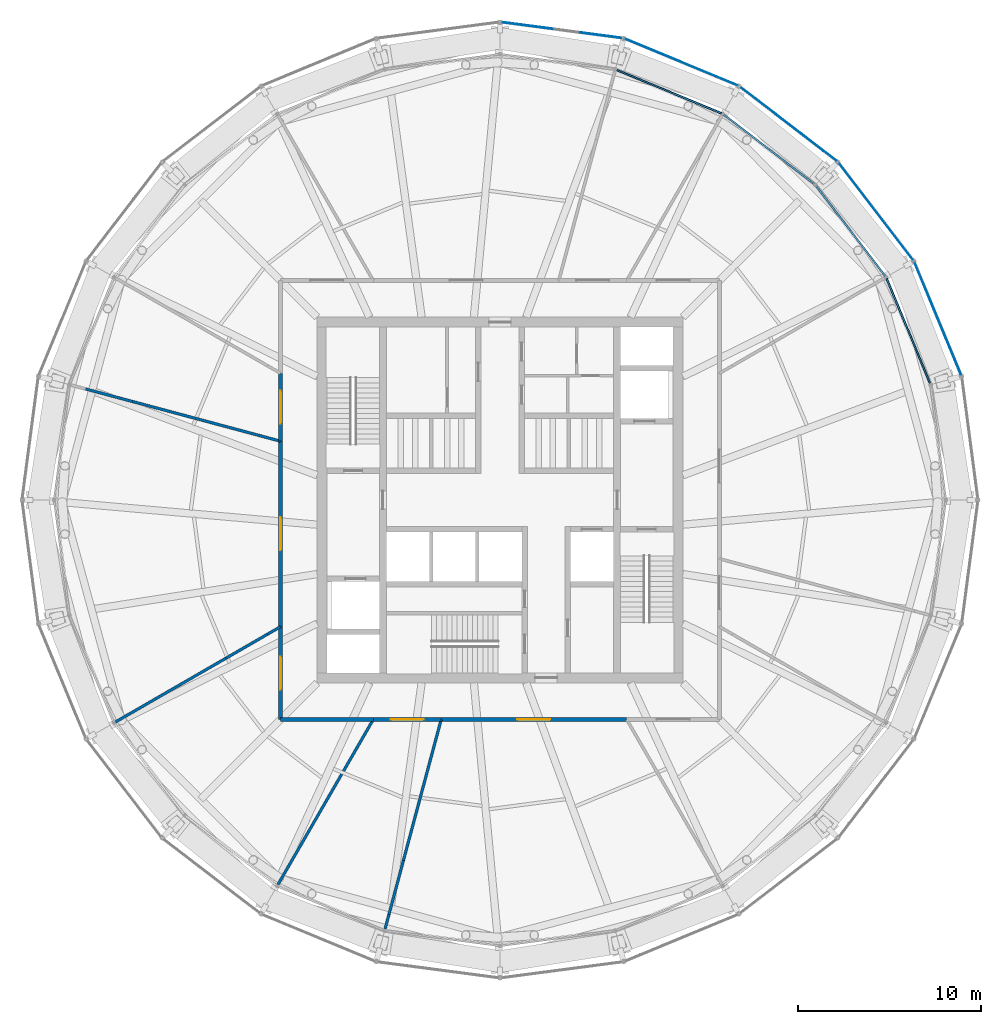
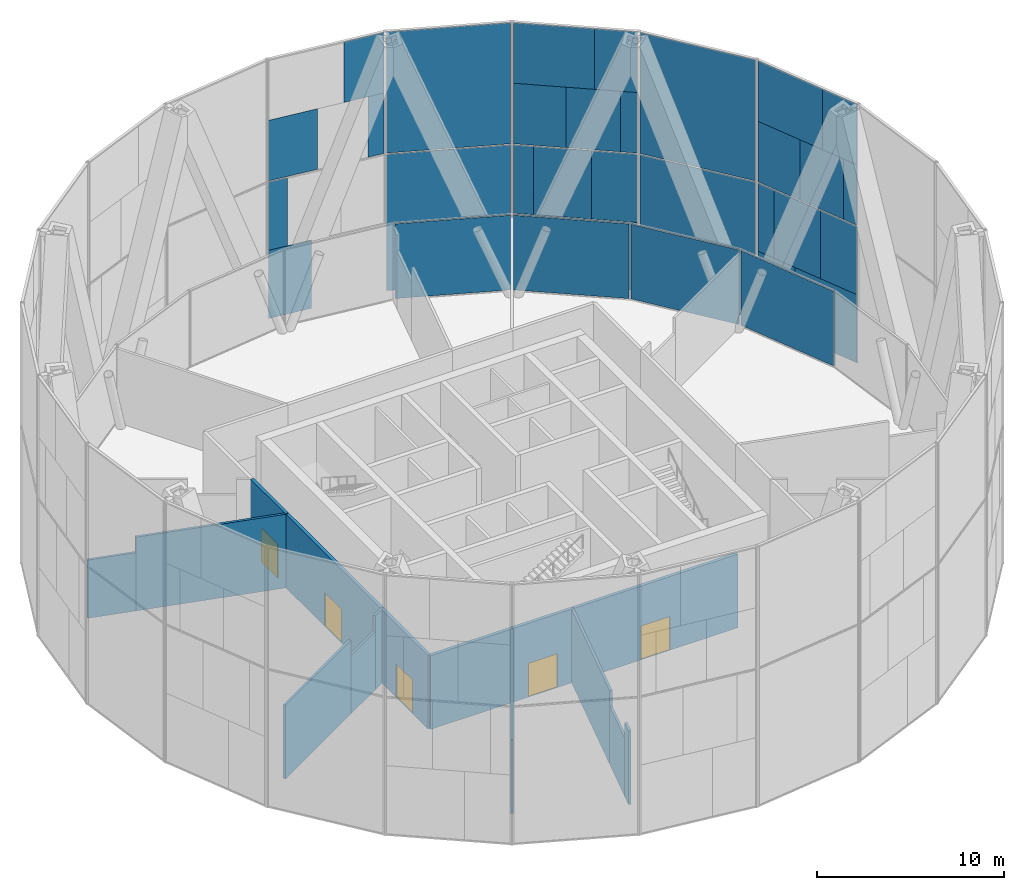
# One storey, part 13 of 17: 33 plates, 15 walls, 5 doors, 5 openings, 9 elements without a shape of their own.
"""IFC4 building model written with IfcOpenShell, lengths in metres."""

from ifc_helpers import new_model, si_unit, direction, frame, frame_2d, origin, origin_2d, place, context, subcontext, project, spatial, rectangle, extrude, material, layer, layer_set, type_object, element, fill, aggregate, save


model = new_model("IFC4")

# Units and contexts
model_context = context("Model", 3, precision=1e-05, world=origin(), true_north=direction((0.0, 1.0)))
body_context = subcontext(model_context, "Body", "Model", "MODEL_VIEW")
ifc_project = project(units=[si_unit("LENGTHUNIT", "METRE"), si_unit("AREAUNIT", "SQUARE_METRE"), si_unit("VOLUMEUNIT", "CUBIC_METRE"), si_unit("PLANEANGLEUNIT", "RADIAN"), si_unit("MASSUNIT", "GRAM", prefix="KILO")], contexts=[model_context])

# Site, building, storey
site_placement = place(None, origin())
site = spatial("IfcSite", under=ifc_project, at=site_placement, CompositionType="ELEMENT")
building_placement = place(site_placement, origin())
building = spatial("IfcBuilding", under=site, at=building_placement, Name="Golbaran Civic Tower", CompositionType="ELEMENT")
storey_placement = place(building_placement, frame((0.0, 0.0, 150.0)))
storey = spatial("IfcBuildingStorey", under=building, at=storey_placement, Name="L36", CompositionType="ELEMENT", Elevation=150.0)

# Curtain wall, plates
ifc_material_1 = material(Name="Aluminium and glass", Category="aluminium")
curtain_wall_type_1 = type_object("IfcCurtainWallType", Name="OUTER SKIN TERRACOTTA SCREEN", PredefinedType="NOTDEFINED", material=ifc_material_1)
curtain_wall_1_placement = place(storey_placement, origin())
curtain_wall_1 = element("IfcCurtainWall", 1, at=curtain_wall_1_placement, inside=storey, type_object=curtain_wall_type_1, Name="Outer skin L36 facet 2 CW3", ObjectType="OUTER SKIN", PredefinedType="USERDEFINED")
ifc_material_2 = material(Name="Clear laminated glass", Category="glass")
ifc_layer_1 = layer(ifc_material_2, 0.0400390625, Name="Clear laminated glass")
ifc_layer_set_1 = layer_set([ifc_layer_1], Name="Clear laminated glass")
plate_type_1 = type_object("IfcPlateType", Name="OUTER SKIN CLEAR GLASS PANEL", PredefinedType="CURTAIN_PANEL", material=ifc_layer_set_1)
plate_1_placement = place(storey_placement, frame((24.4130859375, 8.768798828125, -0.6298828125), z_axis=(0.0, 0.0, 1.0), x_axis=(-0.382683432284, 0.923879532545, 0.0)))
plate_1 = element("IfcPlate", 2, at=plate_1_placement, type_object=plate_type_1, Name="CW3 panel 1.1 part 1", PredefinedType="CURTAIN_PANEL", context=body_context, shape_type="SweptSolid", body=[
    extrude(rectangle(XDim=4.179931640625, YDim=0.0400390625, at=origin_2d()), origin(), (0.0, 0.0, 1.0), 4.43994140625),
])
plate_2_placement = place(storey_placement, frame((24.740966796875, 7.97705078125, 3.81005859375), z_axis=(0.0, 0.0, 1.0), x_axis=(-0.382683432284, 0.923879532545, 0.0)))
plate_2 = element("IfcPlate", 3, at=plate_2_placement, type_object=plate_type_1, Name="CW3 panel 1.1 part 3", PredefinedType="CURTAIN_PANEL", context=body_context, shape_type="SweptSolid", body=[
    extrude(rectangle(XDim=2.466064453125, YDim=0.0400390625, at=origin_2d()), origin(), (0.0, 0.0, 1.0), 4.43994140625),
])
plate_3_placement = place(storey_placement, frame((22.870849609375, 12.4921875, 3.81005859375), z_axis=(0.0, 0.0, 1.0), x_axis=(-0.382683432284, 0.923879532545, 0.0)))
plate_3 = element("IfcPlate", 4, at=plate_3_placement, type_object=plate_type_1, Name="CW3 panel 1.1 part 5", PredefinedType="CURTAIN_PANEL", context=body_context, shape_type="SweptSolid", body=[
    extrude(rectangle(XDim=1.084228515625, YDim=0.0400390625, at=origin_2d()), origin(), (0.0, 0.0, 1.0), 4.43994140625),
])
plate_4_placement = place(storey_placement, frame((25.0380859375, 7.259521484375, 8.330078125), z_axis=(0.0, 0.0, 1.0), x_axis=(-0.382683432284, 0.923879532545, 0.0)))
plate_4 = element("IfcPlate", 5, at=plate_4_placement, type_object=plate_type_1, Name="CW3 panel 1.2 part 1", PredefinedType="CURTAIN_PANEL", context=body_context, shape_type="SweptSolid", body=[
    extrude(rectangle(XDim=0.9130859375, YDim=0.0400390625, at=origin_2d()), origin(), (0.0, 0.0, 1.0), 3.93994140625),
])
plate_5_placement = place(storey_placement, frame((23.205078125, 11.68505859375, 8.330078125), z_axis=(0.0, 0.0, 1.0), x_axis=(-0.382683432284, 0.923879532545, 0.0)))
plate_5 = element("IfcPlate", 6, at=plate_5_placement, type_object=plate_type_1, Name="CW3 panel 1.2 part 3", PredefinedType="CURTAIN_PANEL", context=body_context, shape_type="SweptSolid", body=[
    extrude(rectangle(XDim=2.831298828125, YDim=0.0400390625, at=origin_2d()), origin(), (0.0, 0.0, 1.0), 3.93994140625),
])
plate_6_placement = place(storey_placement, frame((23.496337890625, 10.982177734375, 12.27001953125), z_axis=(0.0, 0.0, 1.0), x_axis=(-0.382683432284, 0.923879532545, 0.0)))
plate_6 = element("IfcPlate", 7, at=plate_6_placement, type_object=plate_type_1, Name="CW3 panel 1.2 part 5", PredefinedType="CURTAIN_PANEL", context=body_context, shape_type="SweptSolid", body=[
    extrude(rectangle(XDim=4.353271484375, YDim=0.0400390625, at=origin_2d()), origin(), (0.0, 0.0, 1.0), 3.93994140625),
])

curtain_wall_2_placement = place(storey_placement, origin())
curtain_wall_2 = element("IfcCurtainWall", 8, at=curtain_wall_2_placement, inside=storey, type_object=curtain_wall_type_1, Name="Outer skin L36 facet 4 CW3", ObjectType="OUTER SKIN", PredefinedType="USERDEFINED")
plate_7_placement = place(storey_placement, frame((16.758056640625, 19.800537109375, -0.6298828125), z_axis=(0.0, 0.0, 1.0), x_axis=(-0.793353340312, 0.608761428981, 0.0)))
plate_7 = element("IfcPlate", 9, at=plate_7_placement, type_object=plate_type_1, Name="CW3 panel 1.1 part 1", PredefinedType="CURTAIN_PANEL", context=body_context, shape_type="SweptSolid", body=[
    extrude(rectangle(XDim=4.179931640625, YDim=0.0400390625, at=origin_2d()), origin(), (0.0, 0.0, 1.0), 4.43994140625),
])
plate_8_placement = place(storey_placement, frame((17.437744140625, 19.27880859375, 3.81005859375), z_axis=(0.0, 0.0, 1.0), x_axis=(-0.793353340312, 0.608761428981, 0.0)))
plate_8 = element("IfcPlate", 10, at=plate_8_placement, type_object=plate_type_1, Name="CW3 panel 1.1 part 3", PredefinedType="CURTAIN_PANEL", context=body_context, shape_type="SweptSolid", body=[
    extrude(rectangle(XDim=2.466064453125, YDim=0.0400390625, at=origin_2d()), origin(), (0.0, 0.0, 1.0), 4.43994140625),
])
plate_9_placement = place(storey_placement, frame((13.560546875, 22.25390625, 3.81005859375), z_axis=(0.0, 0.0, 1.0), x_axis=(-0.793353340312, 0.608761428981, 0.0)))
plate_9 = element("IfcPlate", 11, at=plate_9_placement, type_object=plate_type_1, Name="CW3 panel 1.1 part 5", PredefinedType="CURTAIN_PANEL", context=body_context, shape_type="SweptSolid", body=[
    extrude(rectangle(XDim=1.084228515625, YDim=0.0400390625, at=origin_2d()), origin(), (0.0, 0.0, 1.0), 4.43994140625),
])
plate_10_placement = place(storey_placement, frame((18.053955078125, 18.80615234375, 8.330078125), z_axis=(0.0, 0.0, 1.0), x_axis=(-0.793353340312, 0.608761428981, 0.0)))
plate_10 = element("IfcPlate", 12, at=plate_10_placement, type_object=plate_type_1, Name="CW3 panel 1.2 part 1", PredefinedType="CURTAIN_PANEL", context=body_context, shape_type="SweptSolid", body=[
    extrude(rectangle(XDim=0.9130859375, YDim=0.0400390625, at=origin_2d()), origin(), (0.0, 0.0, 1.0), 3.93994140625),
])
plate_11_placement = place(storey_placement, frame((14.253662109375, 21.72216796875, 8.330078125), z_axis=(0.0, 0.0, 1.0), x_axis=(-0.793353340312, 0.608761428981, 0.0)))
plate_11 = element("IfcPlate", 13, at=plate_11_placement, type_object=plate_type_1, Name="CW3 panel 1.2 part 3", PredefinedType="CURTAIN_PANEL", context=body_context, shape_type="SweptSolid", body=[
    extrude(rectangle(XDim=2.831298828125, YDim=0.0400390625, at=origin_2d()), origin(), (0.0, 0.0, 1.0), 3.93994140625),
])
plate_12_placement = place(storey_placement, frame((14.857421875, 21.259033203125, 12.27001953125), z_axis=(0.0, 0.0, 1.0), x_axis=(-0.793353340312, 0.608761428981, 0.0)))
plate_12 = element("IfcPlate", 14, at=plate_12_placement, type_object=plate_type_1, Name="CW3 panel 1.2 part 5", PredefinedType="CURTAIN_PANEL", context=body_context, shape_type="SweptSolid", body=[
    extrude(rectangle(XDim=4.353271484375, YDim=0.0400390625, at=origin_2d()), origin(), (0.0, 0.0, 1.0), 3.93994140625),
])

curtain_wall_3_placement = place(storey_placement, origin())
curtain_wall_3 = element("IfcCurtainWall", 15, at=curtain_wall_3_placement, inside=storey, type_object=curtain_wall_type_1, Name="Outer skin L36 facet 6 CW3", ObjectType="OUTER SKIN", PredefinedType="USERDEFINED")
plate_13_placement = place(storey_placement, frame((0.616943359375, 26.052734375, 3.81005859375), z_axis=(0.0, 0.0, 1.0), x_axis=(-0.991444861369, 0.130526192255, 0.0)))
plate_13 = element("IfcPlate", 16, at=plate_13_placement, type_object=plate_type_1, Name="CW3 panel 1.1 part 5", PredefinedType="CURTAIN_PANEL", context=body_context, shape_type="SweptSolid", body=[
    extrude(rectangle(XDim=1.084228515625, YDim=0.0400390625, at=origin_2d()), origin(), (0.0, 0.0, 1.0), 4.43994140625),
])
plate_14_placement = place(storey_placement, frame((6.232177734375, 25.3134765625, 8.330078125), z_axis=(0.0, 0.0, 1.0), x_axis=(-0.991444861369, 0.130526192255, 0.0)))
plate_14 = element("IfcPlate", 17, at=plate_14_placement, type_object=plate_type_1, Name="CW3 panel 1.2 part 1", PredefinedType="CURTAIN_PANEL", context=body_context, shape_type="SweptSolid", body=[
    extrude(rectangle(XDim=0.9130859375, YDim=0.0400390625, at=origin_2d()), origin(), (0.0, 0.0, 1.0), 3.93994140625),
])
plate_15_placement = place(storey_placement, frame((1.48291015625, 25.938720703125, 8.330078125), z_axis=(0.0, 0.0, 1.0), x_axis=(-0.991444861369, 0.130526192255, 0.0)))
plate_15 = element("IfcPlate", 18, at=plate_15_placement, type_object=plate_type_1, Name="CW3 panel 1.2 part 3", PredefinedType="CURTAIN_PANEL", context=body_context, shape_type="SweptSolid", body=[
    extrude(rectangle(XDim=2.831298828125, YDim=0.0400390625, at=origin_2d()), origin(), (0.0, 0.0, 1.0), 3.93994140625),
])

# Plate
ifc_material_3 = material(Name="Terracotta baguette screen", Category="masonry")
ifc_layer_2 = layer(ifc_material_3, 0.0400390625, Name="Terracotta baguette screen")
ifc_layer_set_2 = layer_set([ifc_layer_2], Name="Terracotta baguette screen")
plate_type_2 = type_object("IfcPlateType", Name="OUTER SKIN TERRACOTTA INFILL PANEL", PredefinedType="CURTAIN_PANEL", material=ifc_layer_set_2)
plate_16_placement = place(storey_placement, frame((23.13818359375, 11.846435546875, -0.6298828125), z_axis=(0.0, 0.0, 1.0), x_axis=(-0.382683432284, 0.923879532545, 0.0)))
plate_16 = element("IfcPlate", 19, at=plate_16_placement, type_object=plate_type_2, Name="CW3 infill panel 1.1 part 2", PredefinedType="CURTAIN_PANEL", context=body_context, shape_type="SweptSolid", body=[
    extrude(rectangle(XDim=2.482421875, YDim=0.0400390625, at=origin_2d()), origin(), (0.0, 0.0, 1.0), 4.43994140625),
])

plate_17_placement = place(storey_placement, frame((23.673828125, 10.5537109375, 3.81005859375), z_axis=(0.0, 0.0, 1.0), x_axis=(-0.382683432284, 0.923879532545, 0.0)))
plate_17 = element("IfcPlate", 20, at=plate_17_placement, type_object=plate_type_2, Name="CW3 infill panel 1.1 part 4", PredefinedType="CURTAIN_PANEL", context=body_context, shape_type="SweptSolid", body=[
    extrude(rectangle(XDim=3.112060546875, YDim=0.0400390625, at=origin_2d()), origin(), (0.0, 0.0, 1.0), 4.43994140625),
])

plate_18_placement = place(storey_placement, frame((24.30517578125, 9.029296875, 8.330078125), z_axis=(0.0, 0.0, 1.0), x_axis=(-0.382683432284, 0.923879532545, 0.0)))
plate_18 = element("IfcPlate", 21, at=plate_18_placement, type_object=plate_type_2, Name="CW3 infill panel 1.2 part 2", PredefinedType="CURTAIN_PANEL", context=body_context, shape_type="SweptSolid", body=[
    extrude(rectangle(XDim=2.91796875, YDim=0.0400390625, at=origin_2d()), origin(), (0.0, 0.0, 1.0), 3.93994140625),
])

plate_19_placement = place(storey_placement, frame((24.77099609375, 7.904541015625, 12.27001953125), z_axis=(0.0, 0.0, 1.0), x_axis=(-0.382683432284, 0.923879532545, 0.0)))
plate_19 = element("IfcPlate", 22, at=plate_19_placement, type_object=plate_type_2, Name="CW3 infill panel 1.2 part 4", PredefinedType="CURTAIN_PANEL", context=body_context, shape_type="SweptSolid", body=[
    extrude(rectangle(XDim=2.30908203125, YDim=0.0400390625, at=origin_2d()), origin(), (0.0, 0.0, 1.0), 3.93994140625),
])

aggregate(curtain_wall_1, [plate_1, plate_16, plate_2, plate_17, plate_3, plate_4, plate_18, plate_5, plate_19, plate_6])

plate_20_placement = place(storey_placement, frame((14.115234375, 21.828369140625, -0.6298828125), z_axis=(0.0, 0.0, 1.0), x_axis=(-0.793353340312, 0.608761428981, 0.0)))
plate_20 = element("IfcPlate", 23, at=plate_20_placement, type_object=plate_type_2, Name="CW3 infill panel 1.1 part 2", PredefinedType="CURTAIN_PANEL", context=body_context, shape_type="SweptSolid", body=[
    extrude(rectangle(XDim=2.482421875, YDim=0.0400390625, at=origin_2d()), origin(), (0.0, 0.0, 1.0), 4.43994140625),
])

plate_21_placement = place(storey_placement, frame((15.22509765625, 20.9765625, 3.81005859375), z_axis=(0.0, 0.0, 1.0), x_axis=(-0.793353340312, 0.608761428981, 0.0)))
plate_21 = element("IfcPlate", 24, at=plate_21_placement, type_object=plate_type_2, Name="CW3 infill panel 1.1 part 4", PredefinedType="CURTAIN_PANEL", context=body_context, shape_type="SweptSolid", body=[
    extrude(rectangle(XDim=3.112060546875, YDim=0.0400390625, at=origin_2d()), origin(), (0.0, 0.0, 1.0), 4.43994140625),
])

plate_22_placement = place(storey_placement, frame((16.5341796875, 19.97216796875, 8.330078125), z_axis=(0.0, 0.0, 1.0), x_axis=(-0.793353340312, 0.608761428981, 0.0)))
plate_22 = element("IfcPlate", 25, at=plate_22_placement, type_object=plate_type_2, Name="CW3 infill panel 1.2 part 2", PredefinedType="CURTAIN_PANEL", context=body_context, shape_type="SweptSolid", body=[
    extrude(rectangle(XDim=2.91796875, YDim=0.0400390625, at=origin_2d()), origin(), (0.0, 0.0, 1.0), 3.93994140625),
])

plate_23_placement = place(storey_placement, frame((17.500244140625, 19.23095703125, 12.27001953125), z_axis=(0.0, 0.0, 1.0), x_axis=(-0.793353340312, 0.608761428981, 0.0)))
plate_23 = element("IfcPlate", 26, at=plate_23_placement, type_object=plate_type_2, Name="CW3 infill panel 1.2 part 4", PredefinedType="CURTAIN_PANEL", context=body_context, shape_type="SweptSolid", body=[
    extrude(rectangle(XDim=2.30908203125, YDim=0.0400390625, at=origin_2d()), origin(), (0.0, 0.0, 1.0), 3.93994140625),
])

aggregate(curtain_wall_2, [plate_7, plate_20, plate_8, plate_21, plate_9, plate_10, plate_22, plate_11, plate_23, plate_12])

plate_24_placement = place(storey_placement, frame((1.309814453125, 25.961669921875, -0.6298828125), z_axis=(0.0, 0.0, 1.0), x_axis=(-0.991444861369, 0.130526192255, 0.0)))
plate_24 = element("IfcPlate", 27, at=plate_24_placement, type_object=plate_type_2, Name="CW3 infill panel 1.1 part 2", PredefinedType="CURTAIN_PANEL", context=body_context, shape_type="SweptSolid", body=[
    extrude(rectangle(XDim=2.482421875, YDim=0.0400390625, at=origin_2d()), origin(), (0.0, 0.0, 1.0), 4.43994140625),
])

plate_25_placement = place(storey_placement, frame((5.5400390625, 25.404541015625, 12.27001953125), z_axis=(0.0, 0.0, 1.0), x_axis=(-0.991444861369, 0.130526192255, 0.0)))
plate_25 = element("IfcPlate", 28, at=plate_25_placement, type_object=plate_type_2, Name="CW3 infill panel 1.2 part 4", PredefinedType="CURTAIN_PANEL", context=body_context, shape_type="SweptSolid", body=[
    extrude(rectangle(XDim=2.30908203125, YDim=0.0400390625, at=origin_2d()), origin(), (0.0, 0.0, 1.0), 3.93994140625),
])

aggregate(curtain_wall_3, [plate_24, plate_13, plate_14, plate_15, plate_25])

# Curtain wall, plates
curtain_wall_4_placement = place(storey_placement, origin())
curtain_wall_4 = element("IfcCurtainWall", 29, at=curtain_wall_4_placement, inside=storey, type_object=curtain_wall_type_1, Name="Outer skin L36 facet 3 CW3", ObjectType="OUTER SKIN", PredefinedType="USERDEFINED")
ifc_layer_3 = layer(ifc_material_3, 0.0400390625, Name="Terracotta baguette screen")
ifc_layer_set_3 = layer_set([ifc_layer_3], Name="Terracotta baguette screen")
plate_type_3 = type_object("IfcPlateType", Name="OUTER SKIN TERRACOTTA SCREEN PANEL", PredefinedType="CURTAIN_PANEL", material=ifc_layer_set_3)
plate_26_placement = place(storey_placement, frame((20.55615234375, 15.773193359375, -0.6298828125), z_axis=(0.0, 0.0, 1.0), x_axis=(-0.608761428981, 0.793353340312, 0.0)))
plate_26 = element("IfcPlate", 30, at=plate_26_placement, type_object=plate_type_3, Name="CW3 terracotta screen panel 1.1", PredefinedType="CURTAIN_PANEL", context=body_context, shape_type="SweptSolid", body=[
    extrude(rectangle(XDim=6.662353515625, YDim=0.0400390625, at=origin_2d()), origin(), (0.0, 0.0, 1.0), 8.8798828125),
])
plate_27_placement = place(storey_placement, frame((20.55615234375, 15.773193359375, 8.330078125), z_axis=(0.0, 0.0, 1.0), x_axis=(-0.608761428981, 0.793353340312, 0.0)))
plate_27 = element("IfcPlate", 31, at=plate_27_placement, type_object=plate_type_3, Name="CW3 terracotta screen panel 1.2", PredefinedType="CURTAIN_PANEL", context=body_context, shape_type="SweptSolid", body=[
    extrude(rectangle(XDim=6.662353515625, YDim=0.0400390625, at=origin_2d()), origin(), (0.0, 0.0, 1.0), 7.8798828125),
])
aggregate(curtain_wall_4, [plate_26, plate_27])

curtain_wall_5_placement = place(storey_placement, origin())
curtain_wall_5 = element("IfcCurtainWall", 32, at=curtain_wall_5_placement, inside=storey, type_object=curtain_wall_type_1, Name="Outer skin L36 facet 5 CW3", ObjectType="OUTER SKIN", PredefinedType="USERDEFINED")
plate_28_placement = place(storey_placement, frame((9.91552734375, 23.93798828125, -0.6298828125), z_axis=(0.0, 0.0, 1.0), x_axis=(-0.923879532545, 0.382683432284, 0.0)))
plate_28 = element("IfcPlate", 33, at=plate_28_placement, type_object=plate_type_3, Name="CW3 terracotta screen panel 1.1", PredefinedType="CURTAIN_PANEL", context=body_context, shape_type="SweptSolid", body=[
    extrude(rectangle(XDim=6.662353515625, YDim=0.0400390625, at=origin_2d()), origin(), (0.0, 0.0, 1.0), 8.8798828125),
])
plate_29_placement = place(storey_placement, frame((9.91552734375, 23.93798828125, 8.330078125), z_axis=(0.0, 0.0, 1.0), x_axis=(-0.923879532545, 0.382683432284, 0.0)))
plate_29 = element("IfcPlate", 34, at=plate_29_placement, type_object=plate_type_3, Name="CW3 terracotta screen panel 1.2", PredefinedType="CURTAIN_PANEL", context=body_context, shape_type="SweptSolid", body=[
    extrude(rectangle(XDim=6.662353515625, YDim=0.0400390625, at=origin_2d()), origin(), (0.0, 0.0, 1.0), 7.8798828125),
])
aggregate(curtain_wall_5, [plate_28, plate_29])

# Curtain wall, plate
curtain_wall_type_2 = type_object("IfcCurtainWallType", Name="PLANT FLOOR LOUVRE WALL", PredefinedType="NOTDEFINED", material=ifc_material_1)
curtain_wall_6_placement = place(storey_placement, origin())
curtain_wall_6 = element("IfcCurtainWall", 35, at=curtain_wall_6_placement, inside=storey, type_object=curtain_wall_type_2, Name="Inner skin L36 facet 2 CW6", ObjectType="PLANT LOUVRE WALL", PredefinedType="USERDEFINED")
ifc_material_4 = material(Name="Aluminium louvre", Category="aluminium")
ifc_layer_4 = layer(ifc_material_4, 0.10009765625, Name="Aluminium louvre")
ifc_layer_set_4 = layer_set([ifc_layer_4], Name="Aluminium louvre")
plate_type_4 = type_object("IfcPlateType", Name="PLANT FLOOR LOUVRE WALL LOUVRE PANEL", PredefinedType="CURTAIN_PANEL", material=ifc_layer_set_4)
plate_30_placement = place(storey_placement, frame((22.322265625, 9.24609375, 0.06982421875), z_axis=(0.0, 0.0, 1.0), x_axis=(-0.38268343243, 0.923879532485, 0.0)))
plate_30 = element("IfcPlate", 36, at=plate_30_placement, type_object=plate_type_4, Name="CW6 panel 1.1", PredefinedType="CURTAIN_PANEL", context=body_context, shape_type="SweptSolid", body=[
    extrude(rectangle(XDim=6.221923828125, YDim=0.10009765625, at=origin_2d()), origin(), (0.0, 0.0, 1.0), 4.860107421875),
])
aggregate(curtain_wall_6, [plate_30])

curtain_wall_7_placement = place(storey_placement, origin())
curtain_wall_7 = element("IfcCurtainWall", 37, at=curtain_wall_7_placement, inside=storey, type_object=curtain_wall_type_2, Name="Inner skin L36 facet 3 CW6", ObjectType="PLANT LOUVRE WALL", PredefinedType="USERDEFINED")
plate_31_placement = place(storey_placement, frame((19.168701171875, 14.70849609375, 0.06982421875), z_axis=(0.0, 0.0, 1.0), x_axis=(-0.608761428898, 0.793353340376, 0.0)))
plate_31 = element("IfcPlate", 38, at=plate_31_placement, type_object=plate_type_4, Name="CW6 panel 1.1", PredefinedType="CURTAIN_PANEL", context=body_context, shape_type="SweptSolid", body=[
    extrude(rectangle(XDim=6.221923828125, YDim=0.10009765625, at=origin_2d()), origin(), (0.0, 0.0, 1.0), 4.860107421875),
])
aggregate(curtain_wall_7, [plate_31])

curtain_wall_8_placement = place(storey_placement, origin())
curtain_wall_8 = element("IfcCurtainWall", 39, at=curtain_wall_8_placement, inside=storey, type_object=curtain_wall_type_2, Name="Inner skin L36 facet 4 CW6", ObjectType="PLANT LOUVRE WALL", PredefinedType="USERDEFINED")
plate_32_placement = place(storey_placement, frame((14.70849609375, 19.168701171875, 0.06982421875), z_axis=(0.0, 0.0, 1.0), x_axis=(-0.793353340376, 0.608761428898, 0.0)))
plate_32 = element("IfcPlate", 40, at=plate_32_placement, type_object=plate_type_4, Name="CW6 panel 1.1", PredefinedType="CURTAIN_PANEL", context=body_context, shape_type="SweptSolid", body=[
    extrude(rectangle(XDim=6.221923828125, YDim=0.10009765625, at=origin_2d()), origin(), (0.0, 0.0, 1.0), 4.860107421875),
])
aggregate(curtain_wall_8, [plate_32])

curtain_wall_9_placement = place(storey_placement, origin())
curtain_wall_9 = element("IfcCurtainWall", 41, at=curtain_wall_9_placement, inside=storey, type_object=curtain_wall_type_2, Name="Inner skin L36 facet 5 CW6", ObjectType="PLANT LOUVRE WALL", PredefinedType="USERDEFINED")
plate_33_placement = place(storey_placement, frame((9.24609375, 22.322265625, 0.06982421875), z_axis=(0.0, 0.0, 1.0), x_axis=(-0.923879532485, 0.38268343243, 0.0)))
plate_33 = element("IfcPlate", 42, at=plate_33_placement, type_object=plate_type_4, Name="CW6 panel 1.1", PredefinedType="CURTAIN_PANEL", context=body_context, shape_type="SweptSolid", body=[
    extrude(rectangle(XDim=6.221923828125, YDim=0.10009765625, at=origin_2d()), origin(), (0.0, 0.0, 1.0), 4.860107421875),
])
aggregate(curtain_wall_9, [plate_33])

# Wall, opening, door
ifc_material_5 = material(Name="Gypsum board on steel studs, fire-rated", Category="steel")
ifc_layer_5 = layer(ifc_material_5, 0.199951171875, Name="Gypsum board on steel studs, fire-rated")
ifc_layer_set_5 = layer_set([ifc_layer_5], Name="Gypsum board on steel studs, fire-rated")
wall_type_1 = type_object("IfcWallType", Name="CORRIDOR WALL 200", PredefinedType="PARTITIONING", material=ifc_layer_set_5)
wall_1_placement = place(storey_placement, frame((-12.0, 6.92822265625, 0.0), z_axis=(0.0, 0.0, 1.0), x_axis=(0.0, -1.0, 0.0)))
wall_1 = element("IfcWall", 43, at=wall_1_placement, inside=storey, type_object=wall_type_1, Name="Corridor wall L36", PredefinedType="PARTITIONING", context=body_context, shape_type="SweptSolid", body=[
    extrude(rectangle(XDim=3.712890625, YDim=0.199951171875, at=frame_2d((1.8564453125, 0.0))), origin(), (0.0, 0.0, 1.0), 4.800048828125),
])
opening_1_placement = place(wall_1_placement, frame((0.956298828125, 0.0, 0.0)))
opening_1 = element("IfcOpeningElement", 44, at=opening_1_placement, cuts=wall_1, Name="Opening L36.08", PredefinedType="OPENING", context=body_context, shape_type="SweptSolid", body=[
    extrude(rectangle(XDim=1.800048828125, YDim=2.199951171875, at=frame_2d((0.89990234375, 1.10009765625))), frame((0.0, 0.10986328125, 0.0), z_axis=(0.0, -1.0, 0.0), x_axis=(1.0, 0.0, 0.0)), (0.0, 0.0, 1.0), 0.219970703125),
])
ifc_material_6 = material(Name="Timber door set in steel frame", Category="steel")
door_type = type_object("IfcDoorType", Name="OFFICE DOUBLE DOOR 1800x2200", OperationType="DOUBLE_DOOR_SINGLE_SWING", PredefinedType="DOOR", material=ifc_material_6)
door_1_placement = place(opening_1_placement, origin())
door_1 = element("IfcDoor", 45, at=door_1_placement, inside=storey, type_object=door_type, Name="Refuge Area door L36", OperationType="DOUBLE_DOOR_SINGLE_SWING", OverallHeight=2.199951171875, OverallWidth=1.800048828125, PredefinedType="DOOR", context=body_context, shape_type="SweptSolid", body=[
    extrude(rectangle(XDim=1.800048828125, YDim=2.199951171875, at=frame_2d((0.89990234375, 1.10009765625))), frame((0.0, 0.02490234375, 0.0), z_axis=(0.0, -1.0, 0.0), x_axis=(1.0, 0.0, 0.0)), (0.0, 0.0, 1.0), 0.050048828125),
])
fill(opening_1, door_1)

wall_2_placement = place(storey_placement, frame((-12.0, 3.21533203125, 0.0), z_axis=(0.0, 0.0, 1.0), x_axis=(0.0, -1.0, 0.0)))
wall_2 = element("IfcWall", 46, at=wall_2_placement, inside=storey, type_object=wall_type_1, Name="Corridor wall L36", PredefinedType="PARTITIONING", context=body_context, shape_type="SweptSolid", body=[
    extrude(rectangle(XDim=10.1435546875, YDim=0.199951171875, at=frame_2d((5.07177734375, 0.0))), origin(), (0.0, 0.0, 1.0), 4.800048828125),
])
opening_2_placement = place(wall_2_placement, frame((4.171875, 0.0, 0.0)))
opening_2 = element("IfcOpeningElement", 47, at=opening_2_placement, cuts=wall_2, Name="Opening L36.09", PredefinedType="OPENING", context=body_context, shape_type="SweptSolid", body=[
    extrude(rectangle(XDim=1.800048828125, YDim=2.199951171875, at=frame_2d((0.89990234375, 1.10009765625))), frame((0.0, 0.10986328125, 0.0), z_axis=(0.0, -1.0, 0.0), x_axis=(1.0, 0.0, 0.0)), (0.0, 0.0, 1.0), 0.219970703125),
])
door_2_placement = place(opening_2_placement, origin())
door_2 = element("IfcDoor", 48, at=door_2_placement, inside=storey, type_object=door_type, Name="Chiller Plant Room door L36", OperationType="DOUBLE_DOOR_SINGLE_SWING", OverallHeight=2.199951171875, OverallWidth=1.800048828125, PredefinedType="DOOR", context=body_context, shape_type="SweptSolid", body=[
    extrude(rectangle(XDim=1.800048828125, YDim=2.199951171875, at=frame_2d((0.89990234375, 1.10009765625))), frame((0.0, 0.02490234375, 0.0), z_axis=(0.0, -1.0, 0.0), x_axis=(1.0, 0.0, 0.0)), (0.0, 0.0, 1.0), 0.050048828125),
])
fill(opening_2, door_2)

wall_3_placement = place(storey_placement, frame((-12.0, -6.92822265625, 0.0), z_axis=(0.0, 0.0, 1.0), x_axis=(0.0, -1.0, 0.0)))
wall_3 = element("IfcWall", 49, at=wall_3_placement, inside=storey, type_object=wall_type_1, Name="Corridor wall L36", PredefinedType="PARTITIONING", context=body_context, shape_type="SweptSolid", body=[
    extrude(rectangle(XDim=5.07177734375, YDim=0.199951171875, at=frame_2d((2.535888671875, 0.0))), origin(), (0.0, 0.0, 1.0), 4.800048828125),
])
opening_3_placement = place(wall_3_placement, frame((1.635986328125, 0.0, 0.0)))
opening_3 = element("IfcOpeningElement", 50, at=opening_3_placement, cuts=wall_3, Name="Opening L36.10", PredefinedType="OPENING", context=body_context, shape_type="SweptSolid", body=[
    extrude(rectangle(XDim=1.800048828125, YDim=2.199951171875, at=frame_2d((0.89990234375, 1.10009765625))), frame((0.0, 0.10986328125, 0.0), z_axis=(0.0, -1.0, 0.0), x_axis=(1.0, 0.0, 0.0)), (0.0, 0.0, 1.0), 0.219970703125),
])
door_3_placement = place(opening_3_placement, origin())
door_3 = element("IfcDoor", 51, at=door_3_placement, inside=storey, type_object=door_type, Name="Electrical Switch Room door L36", OperationType="DOUBLE_DOOR_SINGLE_SWING", OverallHeight=2.199951171875, OverallWidth=1.800048828125, PredefinedType="DOOR", context=body_context, shape_type="SweptSolid", body=[
    extrude(rectangle(XDim=1.800048828125, YDim=2.199951171875, at=frame_2d((0.89990234375, 1.10009765625))), frame((0.0, 0.02490234375, 0.0), z_axis=(0.0, -1.0, 0.0), x_axis=(1.0, 0.0, 0.0)), (0.0, 0.0, 1.0), 0.050048828125),
])
fill(opening_3, door_3)

# Wall
wall_4_placement = place(storey_placement, frame((-12.0, -12.0, 0.0), z_axis=(0.0, 0.0, 1.0), x_axis=(1.0, 0.0, 0.0)))
element("IfcWall", 52, at=wall_4_placement, inside=storey, type_object=wall_type_1, Name="Corridor wall L36", PredefinedType="PARTITIONING", context=body_context, shape_type="SweptSolid", body=[
    extrude(rectangle(XDim=5.07177734375, YDim=0.199951171875, at=frame_2d((2.535888671875, 0.0))), origin(), (0.0, 0.0, 1.0), 4.800048828125),
])

# Wall, opening, door
wall_5_placement = place(storey_placement, frame((-6.92822265625, -12.0, 0.0), z_axis=(0.0, 0.0, 1.0), x_axis=(1.0, 0.0, 0.0)))
wall_5 = element("IfcWall", 53, at=wall_5_placement, inside=storey, type_object=wall_type_1, Name="Corridor wall L36", PredefinedType="PARTITIONING", context=body_context, shape_type="SweptSolid", body=[
    extrude(rectangle(XDim=3.712890625, YDim=0.199951171875, at=frame_2d((1.8564453125, 0.0))), origin(), (0.0, 0.0, 1.0), 4.800048828125),
])
opening_4_placement = place(wall_5_placement, frame((0.956298828125, 0.0, 0.0)))
opening_4 = element("IfcOpeningElement", 54, at=opening_4_placement, cuts=wall_5, Name="Opening L36.11", PredefinedType="OPENING", context=body_context, shape_type="SweptSolid", body=[
    extrude(rectangle(XDim=1.800048828125, YDim=2.199951171875, at=frame_2d((0.89990234375, 1.10009765625))), frame((0.0, 0.10986328125, 0.0), z_axis=(0.0, -1.0, 0.0), x_axis=(1.0, 0.0, 0.0)), (0.0, 0.0, 1.0), 0.219970703125),
])
door_4_placement = place(opening_4_placement, origin())
door_4 = element("IfcDoor", 55, at=door_4_placement, inside=storey, type_object=door_type, Name="Air Handling Plant Room door L36", OperationType="DOUBLE_DOOR_SINGLE_SWING", OverallHeight=2.199951171875, OverallWidth=1.800048828125, PredefinedType="DOOR", context=body_context, shape_type="SweptSolid", body=[
    extrude(rectangle(XDim=1.800048828125, YDim=2.199951171875, at=frame_2d((0.89990234375, 1.10009765625))), frame((0.0, 0.02490234375, 0.0), z_axis=(0.0, -1.0, 0.0), x_axis=(1.0, 0.0, 0.0)), (0.0, 0.0, 1.0), 0.050048828125),
])
fill(opening_4, door_4)

wall_6_placement = place(storey_placement, frame((-3.21533203125, -12.0, 0.0), z_axis=(0.0, 0.0, 1.0), x_axis=(1.0, 0.0, 0.0)))
wall_6 = element("IfcWall", 56, at=wall_6_placement, inside=storey, type_object=wall_type_1, Name="Corridor wall L36", PredefinedType="PARTITIONING", context=body_context, shape_type="SweptSolid", body=[
    extrude(rectangle(XDim=10.1435546875, YDim=0.199951171875, at=frame_2d((5.07177734375, 0.0))), origin(), (0.0, 0.0, 1.0), 4.800048828125),
])
opening_5_placement = place(wall_6_placement, frame((4.171875, 0.0, 0.0)))
opening_5 = element("IfcOpeningElement", 57, at=opening_5_placement, cuts=wall_6, Name="Opening L36.12", PredefinedType="OPENING", context=body_context, shape_type="SweptSolid", body=[
    extrude(rectangle(XDim=1.800048828125, YDim=2.199951171875, at=frame_2d((0.89990234375, 1.10009765625))), frame((0.0, 0.10986328125, 0.0), z_axis=(0.0, -1.0, 0.0), x_axis=(1.0, 0.0, 0.0)), (0.0, 0.0, 1.0), 0.219970703125),
])
door_5_placement = place(opening_5_placement, origin())
door_5 = element("IfcDoor", 58, at=door_5_placement, inside=storey, type_object=door_type, Name="Refuge Area door L36", OperationType="DOUBLE_DOOR_SINGLE_SWING", OverallHeight=2.199951171875, OverallWidth=1.800048828125, PredefinedType="DOOR", context=body_context, shape_type="SweptSolid", body=[
    extrude(rectangle(XDim=1.800048828125, YDim=2.199951171875, at=frame_2d((0.89990234375, 1.10009765625))), frame((0.0, 0.02490234375, 0.0), z_axis=(0.0, -1.0, 0.0), x_axis=(1.0, 0.0, 0.0)), (0.0, 0.0, 1.0), 0.050048828125),
])
fill(opening_5, door_5)

# Walls
ifc_material_7 = material(Name="Gypsum board on steel studs", Category="steel")
ifc_layer_6 = layer(ifc_material_7, 0.14990234375, Name="Gypsum board on steel studs")
ifc_layer_set_6 = layer_set([ifc_layer_6], Name="Gypsum board on steel studs")
wall_type_2 = type_object("IfcWallType", Name="OFFICE PARTITION 150", PredefinedType="PARTITIONING", material=ifc_layer_set_6)
wall_7_placement = place(storey_placement, frame((-12.0, 3.21533203125, 0.0), z_axis=(0.0, 0.0, 1.0), x_axis=(-0.965920824038, 0.258837713037, 0.0)))
element("IfcWall", 59, at=wall_7_placement, inside=storey, type_object=wall_type_2, Name="Partition 165 L36", PredefinedType="PARTITIONING", context=body_context, shape_type="SweptSolid", body=[
    extrude(rectangle(XDim=8.365478515625, YDim=0.14990234375, at=frame_2d((4.1826171875, 0.0))), origin(), (0.0, 0.0, 1.0), 4.800048828125),
])
wall_8_placement = place(storey_placement, frame((-20.080322265625, 5.380615234375, 0.0), z_axis=(0.0, 0.0, 1.0), x_axis=(-0.965936190415, 0.258780362559, 0.0)))
element("IfcWall", 60, at=wall_8_placement, inside=storey, type_object=wall_type_2, Name="Partition 165 L36 (part 2)", PredefinedType="PARTITIONING", context=body_context, shape_type="SweptSolid", body=[
    extrude(rectangle(XDim=2.664306640625, YDim=0.14990234375, at=frame_2d((1.33203125, 0.0))), origin(), (0.0, 0.0, 1.0), 3.7900390625),
])
wall_9_placement = place(storey_placement, frame((-12.0, -6.92822265625, 0.0), z_axis=(0.0, 0.0, 1.0), x_axis=(-0.86608282171, -0.499900536046, 0.0)))
element("IfcWall", 61, at=wall_9_placement, inside=storey, type_object=wall_type_2, Name="Partition 210 L36", PredefinedType="PARTITIONING", context=body_context, shape_type="SweptSolid", body=[
    extrude(rectangle(XDim=0.830810546875, YDim=0.14990234375, at=frame_2d((0.41552734375, 0.0))), origin(), (0.0, 0.0, 1.0), 4.800048828125),
])
wall_10_placement = place(storey_placement, frame((-12.719482421875, -7.343505859375, 0.0), z_axis=(0.0, 0.0, 1.0), x_axis=(-0.866002361659, -0.500039908008, 0.0)))
element("IfcWall", 62, at=wall_10_placement, inside=storey, type_object=wall_type_2, Name="Partition 210 L36 (part 2)", PredefinedType="PARTITIONING", context=body_context, shape_type="SweptSolid", body=[
    extrude(rectangle(XDim=2.618408203125, YDim=0.14990234375, at=frame_2d((1.30908203125, 0.0))), origin(), (0.0, 0.0, 1.0), 3.7900390625),
])
wall_11_placement = place(storey_placement, frame((-14.987060546875, -8.65283203125, 0.0), z_axis=(0.0, 0.0, 1.0), x_axis=(-0.86602409414, -0.500002268364, 0.0)))
element("IfcWall", 63, at=wall_11_placement, inside=storey, type_object=wall_type_2, Name="Partition 210 L36 (part 3)", PredefinedType="PARTITIONING", context=body_context, shape_type="SweptSolid", body=[
    extrude(rectangle(XDim=6.9736328125, YDim=0.14990234375, at=frame_2d((3.48681640625, 0.0))), origin(), (0.0, 0.0, 1.0), 4.800048828125),
])
wall_12_placement = place(storey_placement, frame((-6.92822265625, -12.0, 0.0), z_axis=(0.0, 0.0, 1.0), x_axis=(-0.500003616288, -0.866023315909, 0.0)))
element("IfcWall", 64, at=wall_12_placement, inside=storey, type_object=wall_type_2, Name="Partition 240 L36", PredefinedType="PARTITIONING", context=body_context, shape_type="SweptSolid", body=[
    extrude(rectangle(XDim=10.4228515625, YDim=0.14990234375, at=frame_2d((5.21142578125, 0.0))), origin(), (0.0, 0.0, 1.0), 4.800048828125),
])
wall_13_placement = place(storey_placement, frame((-3.21533203125, -12.0, 0.0), z_axis=(0.0, 0.0, 1.0), x_axis=(-0.258826894995, -0.965923722882, 0.0)))
element("IfcWall", 65, at=wall_13_placement, inside=storey, type_object=wall_type_2, Name="Partition 255 L36", PredefinedType="PARTITIONING", context=body_context, shape_type="SweptSolid", body=[
    extrude(rectangle(XDim=7.973388671875, YDim=0.14990234375, at=frame_2d((3.98681640625, 0.0))), origin(), (0.0, 0.0, 1.0), 4.800048828125),
])
wall_14_placement = place(storey_placement, frame((-5.279052734375, -19.70166015625, 0.0), z_axis=(0.0, 0.0, 1.0), x_axis=(-0.258819472716, -0.96592571171, 0.0)))
element("IfcWall", 66, at=wall_14_placement, inside=storey, type_object=wall_type_2, Name="Partition 255 L36 (part 2)", PredefinedType="PARTITIONING", context=body_context, shape_type="SweptSolid", body=[
    extrude(rectangle(XDim=3.0732421875, YDim=0.14990234375, at=frame_2d((1.53662109375, 0.0))), origin(), (0.0, 0.0, 1.0), 3.7900390625),
])
wall_15_placement = place(storey_placement, frame((-6.074462890625, -22.670166015625, 0.0), z_axis=(0.0, 0.0, 1.0), x_axis=(-0.258826555959, -0.96592381373, 0.0)))
element("IfcWall", 67, at=wall_15_placement, inside=storey, type_object=wall_type_2, Name="Partition 255 L36 (part 3)", PredefinedType="PARTITIONING", context=body_context, shape_type="SweptSolid", body=[
    extrude(rectangle(XDim=0.809326171875, YDim=0.14990234375, at=frame_2d((0.40478515625, 0.0))), origin(), (0.0, 0.0, 1.0), 4.800048828125),
])

save(model, "model.ifc")
